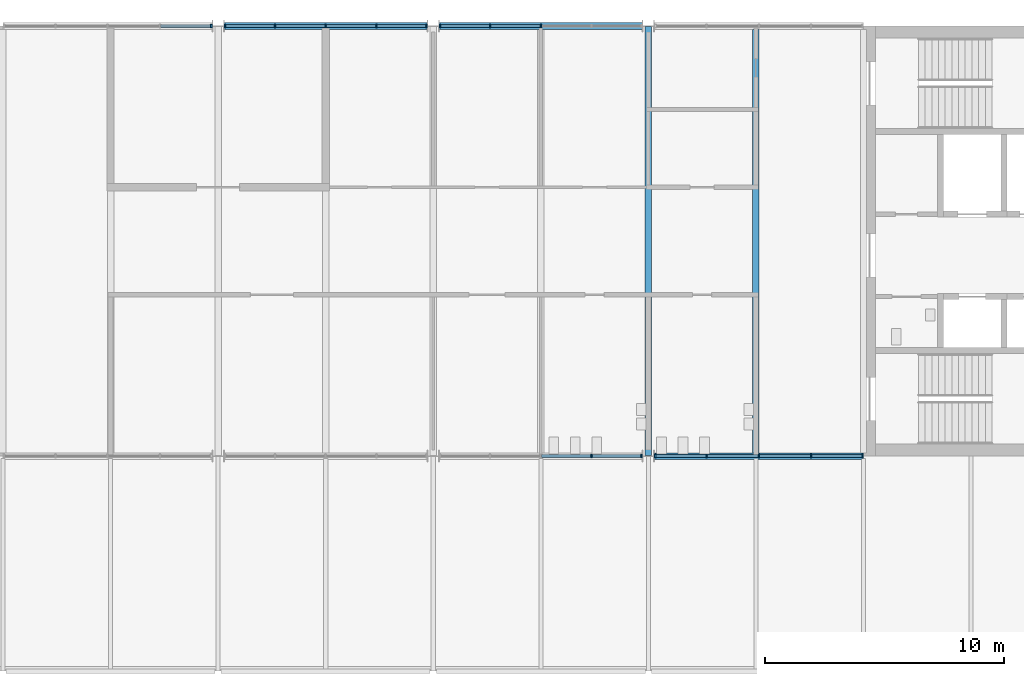
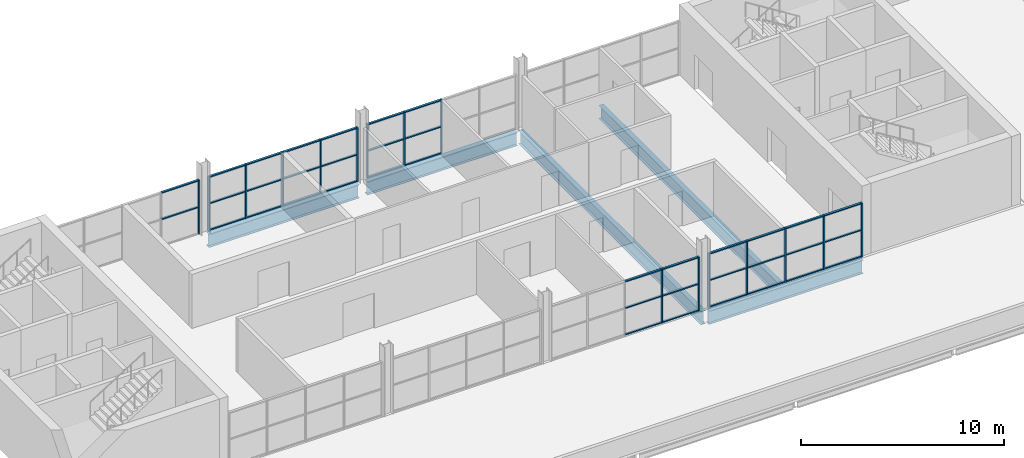
# One storey, part 16 of 50: 54 members, 5 beams, 5 elements without a shape of their own.
"""IFC4 building model written with IfcOpenShell, lengths in metres."""

from ifc_helpers import new_model, si_unit, direction, frame, origin, origin_2d, place, context, subcontext, project, spatial, rectangle, i_section, extrude, material, layer, layer_set, material_profile, profile_set, type_object, element, aggregate, save


model = new_model("IFC4")

# Units and contexts
model_context = context("Model", 3, precision=1e-05, world=origin(), true_north=direction((0.0, 1.0)))
body_context = subcontext(model_context, "Body", "Model", "MODEL_VIEW")
ifc_project = project(units=[si_unit("LENGTHUNIT", "METRE"), si_unit("AREAUNIT", "SQUARE_METRE"), si_unit("VOLUMEUNIT", "CUBIC_METRE"), si_unit("PLANEANGLEUNIT", "RADIAN"), si_unit("MASSUNIT", "GRAM", prefix="KILO")], contexts=[model_context])

# Site, building, storey
site_placement = place(None, origin())
site = spatial("IfcSite", under=ifc_project, at=site_placement, CompositionType="ELEMENT")
building_placement = place(site_placement, origin())
building = spatial("IfcBuilding", under=site, at=building_placement, Name="Corbel Yard City Hall", CompositionType="ELEMENT")
storey_placement = place(building_placement, frame((0.0, 0.0, 15.0)))
storey = spatial("IfcBuildingStorey", under=building, at=storey_placement, Name="L03", CompositionType="ELEMENT", Elevation=15.0)

# Beams
ifc_material_1 = material(Name="Steel Grade 350", Category="steel")
ifc_material_profile_1 = material_profile(ifc_material_1, i_section(OverallWidth=0.27490234375, OverallDepth=0.81005859375, WebThickness=0.010009765625, FlangeThickness=0.02490234375, at=origin_2d()), Name="800WB168")
ifc_profile_set_1 = profile_set([ifc_material_profile_1], Name="Steel Grade 350")
beam_type_1 = type_object("IfcBeamType", Name="Edge beam 800WB168", PredefinedType="BEAM", material=ifc_profile_set_1)
beam_1_placement = place(storey_placement, frame((36.239990234375, 99.0, -0.554931640625), z_axis=(1.0, 0.0, 0.0), x_axis=(0.0, 1.0, 0.0)))
element("IfcBeam", 1, at=beam_1_placement, inside=storey, type_object=beam_type_1, Name="Edge beam 800WB168 EB3 L03tower", PredefinedType="BEAM", context=body_context, shape_type="SweptSolid", body=[
    extrude(i_section(OverallWidth=0.27490234375, OverallDepth=0.81005859375, WebThickness=0.010009765625, FlangeThickness=0.02490234375, at=origin_2d()), origin(), (0.0, 0.0, 1.0), 8.760009765625),
])
for number, where, z_axis, x_axis, name in (
    (2, (18.239990234375, 117.0, -0.554931640625), (1.0, 0.0, 0.0), (0.0, 1.0, 0.0), "Edge beam 800WB168 EB3 L03tower"),
    (3, (27.239990234375, 117.0, -0.554931640625), (1.0, 0.0, 0.0), (0.0, 1.0, 0.0), "Edge beam 800WB168 EB3 L03tower"),
):
    element("IfcBeam", number, at=place(storey_placement, frame(where, z_axis=z_axis, x_axis=x_axis)), inside=storey, type_object=beam_type_1, Name=name, PredefinedType="BEAM", context=body_context, shape_type="SweptSolid", body=[
        extrude(i_section(OverallWidth=0.27490234375, OverallDepth=0.81005859375, WebThickness=0.010009765625, FlangeThickness=0.02490234375, at=origin_2d()), origin(), (0.0, 0.0, 1.0), 8.52001953125),
    ])
ifc_material_profile_2 = material_profile(ifc_material_1, i_section(OverallWidth=0.27490234375, OverallDepth=0.800048828125, WebThickness=0.010009765625, FlangeThickness=0.02001953125, at=origin_2d()), Name="800WB146")
ifc_profile_set_2 = profile_set([ifc_material_profile_2], Name="Steel Grade 350")
beam_type_2 = type_object("IfcBeamType", Name="Long-span beam 800WB146", PredefinedType="BEAM", material=ifc_profile_set_2)
beam_2_placement = place(storey_placement, frame((36.0, 99.02001953125, -0.550048828125), z_axis=(0.0, 1.0, 0.0), x_axis=(-1.0, 0.0, 0.0)))
element("IfcBeam", 4, at=beam_2_placement, inside=storey, type_object=beam_type_2, Name="Long-span beam 800WB146 SB8 L03tower", PredefinedType="BEAM", context=body_context, shape_type="SweptSolid", body=[
    extrude(i_section(OverallWidth=0.27490234375, OverallDepth=0.800048828125, WebThickness=0.010009765625, FlangeThickness=0.02001953125, at=origin_2d()), origin(), (0.0, 0.0, 1.0), 17.9599609375),
])
ifc_material_profile_3 = material_profile(ifc_material_1, i_section(OverallWidth=0.27490234375, OverallDepth=0.800048828125, WebThickness=0.010009765625, FlangeThickness=0.02001953125, at=origin_2d()), Name="800WB146")
ifc_profile_set_3 = profile_set([ifc_material_profile_3], Name="Steel Grade 350")
beam_type_3 = type_object("IfcBeamType", Name="Long-span secondary beam 800WB146", PredefinedType="JOIST", material=ifc_profile_set_3)
beam_3_placement = place(storey_placement, frame((40.5, 99.137451171875, -0.550048828125), z_axis=(0.0, 1.0, 0.0), x_axis=(-1.0, 0.0, 0.0)))
element("IfcBeam", 5, at=beam_3_placement, inside=storey, type_object=beam_type_3, Name="Long-span secondary beam 800WB146 SB7 L03tower", PredefinedType="JOIST", context=body_context, shape_type="SweptSolid", body=[
    extrude(i_section(OverallWidth=0.27490234375, OverallDepth=0.800048828125, WebThickness=0.010009765625, FlangeThickness=0.02001953125, at=origin_2d()), origin(), (0.0, 0.0, 1.0), 17.72509765625),
])

# Curtain wall, members
ifc_material_2 = material(Name="Aluminium extrusion", Category="aluminium")
ifc_layer = layer(ifc_material_2, 0.14990234375)
ifc_layer_set = layer_set([ifc_layer], Name="Aluminium extrusion")
curtain_wall_type = type_object("IfcCurtainWallType", Name="CW2", PredefinedType="USERDEFINED", material=ifc_layer_set)
curtain_wall_1_placement = place(storey_placement, origin())
curtain_wall_1 = element("IfcCurtainWall", 6, at=curtain_wall_1_placement, inside=storey, type_object=curtain_wall_type, Name="Curtain wall CW2 L03", ObjectType="CURTAIN WALL", PredefinedType="USERDEFINED")
ifc_material_profile_4 = material_profile(ifc_material_2, rectangle(XDim=0.14990234375, YDim=0.06494140625, at=origin_2d()), Name="150x65")
ifc_profile_set_4 = profile_set([ifc_material_profile_4], Name="Aluminium extrusion")
member_type_1 = type_object("IfcMemberType", Name="ML2", PredefinedType="MULLION", material=ifc_profile_set_4)
member_1_placement = place(storey_placement, frame((33.62158203125, 99.0, 0.0), z_axis=(0.0, 0.0, 1.0), x_axis=(0.0, 1.0, 0.0)))
member_1 = element("IfcMember", 7, at=member_1_placement, type_object=member_type_1, Name="CW2 mullion 4", PredefinedType="MULLION", context=body_context, shape_type="SweptSolid", body=[
    extrude(rectangle(XDim=0.14990234375, YDim=0.06494140625, at=origin_2d()), origin(), (0.0, 0.0, 1.0), 3.239990234375),
])
member_2_placement = place(storey_placement, frame((35.71044921875, 99.0, 0.0), z_axis=(0.0, 0.0, 1.0), x_axis=(0.0, 1.0, 0.0)))
member_2 = element("IfcMember", 8, at=member_2_placement, type_object=member_type_1, Name="CW2 mullion 5", PredefinedType="MULLION", context=body_context, shape_type="SweptSolid", body=[
    extrude(rectangle(XDim=0.14990234375, YDim=0.06494140625, at=origin_2d()), origin(), (0.0, 0.0, 1.0), 3.239990234375),
])

curtain_wall_2_placement = place(storey_placement, origin())
curtain_wall_2 = element("IfcCurtainWall", 9, at=curtain_wall_2_placement, inside=storey, type_object=curtain_wall_type, Name="Curtain wall CW2 L03", ObjectType="CURTAIN WALL", PredefinedType="USERDEFINED")
member_3_placement = place(storey_placement, frame((36.28955078125, 99.0, 0.0), z_axis=(0.0, 0.0, 1.0), x_axis=(0.0, 1.0, 0.0)))
member_3 = element("IfcMember", 10, at=member_3_placement, type_object=member_type_1, Name="CW2 mullion 1", PredefinedType="MULLION", context=body_context, shape_type="SweptSolid", body=[
    extrude(rectangle(XDim=0.14990234375, YDim=0.06494140625, at=origin_2d()), origin(), (0.0, 0.0, 1.0), 3.239990234375),
])
member_4_placement = place(storey_placement, frame((38.44287109375, 99.0, 0.0), z_axis=(0.0, 0.0, 1.0), x_axis=(0.0, 1.0, 0.0)))
member_4 = element("IfcMember", 11, at=member_4_placement, type_object=member_type_1, Name="CW2 mullion 2", PredefinedType="MULLION", context=body_context, shape_type="SweptSolid", body=[
    extrude(rectangle(XDim=0.14990234375, YDim=0.06494140625, at=origin_2d()), origin(), (0.0, 0.0, 1.0), 3.239990234375),
])
member_5_placement = place(storey_placement, frame((40.62841796875, 99.0, 0.0), z_axis=(0.0, 0.0, 1.0), x_axis=(0.0, 1.0, 0.0)))
member_5 = element("IfcMember", 12, at=member_5_placement, type_object=member_type_1, Name="CW2 mullion 3", PredefinedType="MULLION", context=body_context, shape_type="SweptSolid", body=[
    extrude(rectangle(XDim=0.14990234375, YDim=0.06494140625, at=origin_2d()), origin(), (0.0, 0.0, 1.0), 3.239990234375),
])
member_6_placement = place(storey_placement, frame((42.814208984375, 99.0, 0.0), z_axis=(0.0, 0.0, 1.0), x_axis=(0.0, 1.0, 0.0)))
member_6 = element("IfcMember", 13, at=member_6_placement, type_object=member_type_1, Name="CW2 mullion 4", PredefinedType="MULLION", context=body_context, shape_type="SweptSolid", body=[
    extrude(rectangle(XDim=0.14990234375, YDim=0.06494140625, at=origin_2d()), origin(), (0.0, 0.0, 1.0), 3.239990234375),
])
member_7_placement = place(storey_placement, frame((44.967529296875, 99.0, 0.0), z_axis=(0.0, 0.0, 1.0), x_axis=(0.0, 1.0, 0.0)))
member_7 = element("IfcMember", 14, at=member_7_placement, type_object=member_type_1, Name="CW2 mullion 5", PredefinedType="MULLION", context=body_context, shape_type="SweptSolid", body=[
    extrude(rectangle(XDim=0.14990234375, YDim=0.06494140625, at=origin_2d()), origin(), (0.0, 0.0, 1.0), 3.239990234375),
])

# Curtain wall, member
curtain_wall_3_placement = place(storey_placement, origin())
curtain_wall_3 = element("IfcCurtainWall", 15, at=curtain_wall_3_placement, inside=storey, type_object=curtain_wall_type, Name="Curtain wall CW2 L03", ObjectType="CURTAIN WALL", PredefinedType="USERDEFINED")
member_8_placement = place(storey_placement, frame((17.71044921875, 117.0, 0.0), z_axis=(0.0, 0.0, 1.0), x_axis=(0.0, 1.0, 0.0)))
member_8 = element("IfcMember", 16, at=member_8_placement, type_object=member_type_1, Name="CW2 mullion 5", PredefinedType="MULLION", context=body_context, shape_type="SweptSolid", body=[
    extrude(rectangle(XDim=0.14990234375, YDim=0.06494140625, at=origin_2d()), origin(), (0.0, 0.0, 1.0), 3.239990234375),
])

# Curtain wall, members
curtain_wall_4_placement = place(storey_placement, origin())
curtain_wall_4 = element("IfcCurtainWall", 17, at=curtain_wall_4_placement, inside=storey, type_object=curtain_wall_type, Name="Curtain wall CW2 L03", ObjectType="CURTAIN WALL", PredefinedType="USERDEFINED")
member_9_placement = place(storey_placement, frame((18.28955078125, 117.0, 0.0), z_axis=(0.0, 0.0, 1.0), x_axis=(0.0, 1.0, 0.0)))
member_9 = element("IfcMember", 18, at=member_9_placement, type_object=member_type_1, Name="CW2 mullion 1", PredefinedType="MULLION", context=body_context, shape_type="SweptSolid", body=[
    extrude(rectangle(XDim=0.14990234375, YDim=0.06494140625, at=origin_2d()), origin(), (0.0, 0.0, 1.0), 3.239990234375),
])
member_10_placement = place(storey_placement, frame((20.37841796875, 117.0, 0.0), z_axis=(0.0, 0.0, 1.0), x_axis=(0.0, 1.0, 0.0)))
member_10 = element("IfcMember", 19, at=member_10_placement, type_object=member_type_1, Name="CW2 mullion 2", PredefinedType="MULLION", context=body_context, shape_type="SweptSolid", body=[
    extrude(rectangle(XDim=0.14990234375, YDim=0.06494140625, at=origin_2d()), origin(), (0.0, 0.0, 1.0), 3.239990234375),
])
member_11_placement = place(storey_placement, frame((22.5, 117.0, 0.0), z_axis=(0.0, 0.0, 1.0), x_axis=(0.0, 1.0, 0.0)))
member_11 = element("IfcMember", 20, at=member_11_placement, type_object=member_type_1, Name="CW2 mullion 3", PredefinedType="MULLION", context=body_context, shape_type="SweptSolid", body=[
    extrude(rectangle(XDim=0.14990234375, YDim=0.06494140625, at=origin_2d()), origin(), (0.0, 0.0, 1.0), 3.239990234375),
])
member_12_placement = place(storey_placement, frame((24.62158203125, 117.0, 0.0), z_axis=(0.0, 0.0, 1.0), x_axis=(0.0, 1.0, 0.0)))
member_12 = element("IfcMember", 21, at=member_12_placement, type_object=member_type_1, Name="CW2 mullion 4", PredefinedType="MULLION", context=body_context, shape_type="SweptSolid", body=[
    extrude(rectangle(XDim=0.14990234375, YDim=0.06494140625, at=origin_2d()), origin(), (0.0, 0.0, 1.0), 3.239990234375),
])
member_13_placement = place(storey_placement, frame((26.71044921875, 117.0, 0.0), z_axis=(0.0, 0.0, 1.0), x_axis=(0.0, 1.0, 0.0)))
member_13 = element("IfcMember", 22, at=member_13_placement, type_object=member_type_1, Name="CW2 mullion 5", PredefinedType="MULLION", context=body_context, shape_type="SweptSolid", body=[
    extrude(rectangle(XDim=0.14990234375, YDim=0.06494140625, at=origin_2d()), origin(), (0.0, 0.0, 1.0), 3.239990234375),
])

curtain_wall_5_placement = place(storey_placement, origin())
curtain_wall_5 = element("IfcCurtainWall", 23, at=curtain_wall_5_placement, inside=storey, type_object=curtain_wall_type, Name="Curtain wall CW2 L03", ObjectType="CURTAIN WALL", PredefinedType="USERDEFINED")
member_14_placement = place(storey_placement, frame((27.28955078125, 117.0, 0.0), z_axis=(0.0, 0.0, 1.0), x_axis=(0.0, 1.0, 0.0)))
member_14 = element("IfcMember", 24, at=member_14_placement, type_object=member_type_1, Name="CW2 mullion 1", PredefinedType="MULLION", context=body_context, shape_type="SweptSolid", body=[
    extrude(rectangle(XDim=0.14990234375, YDim=0.06494140625, at=origin_2d()), origin(), (0.0, 0.0, 1.0), 3.239990234375),
])
member_15_placement = place(storey_placement, frame((29.37841796875, 117.0, 0.0), z_axis=(0.0, 0.0, 1.0), x_axis=(0.0, 1.0, 0.0)))
member_15 = element("IfcMember", 25, at=member_15_placement, type_object=member_type_1, Name="CW2 mullion 2", PredefinedType="MULLION", context=body_context, shape_type="SweptSolid", body=[
    extrude(rectangle(XDim=0.14990234375, YDim=0.06494140625, at=origin_2d()), origin(), (0.0, 0.0, 1.0), 3.239990234375),
])
member_16_placement = place(storey_placement, frame((31.5, 117.0, 0.0), z_axis=(0.0, 0.0, 1.0), x_axis=(0.0, 1.0, 0.0)))
member_16 = element("IfcMember", 26, at=member_16_placement, type_object=member_type_1, Name="CW2 mullion 3", PredefinedType="MULLION", context=body_context, shape_type="SweptSolid", body=[
    extrude(rectangle(XDim=0.14990234375, YDim=0.06494140625, at=origin_2d()), origin(), (0.0, 0.0, 1.0), 3.239990234375),
])

# Member
ifc_material_profile_5 = material_profile(ifc_material_2, rectangle(XDim=0.1201171875, YDim=0.06494140625, at=origin_2d()), Name="120x65")
ifc_profile_set_5 = profile_set([ifc_material_profile_5], Name="Aluminium extrusion")
member_type_2 = type_object("IfcMemberType", Name="TR2", PredefinedType="USERDEFINED", material=ifc_profile_set_5)
member_17_placement = place(storey_placement, frame((31.532470703125, 99.0, 0.032470703125), z_axis=(1.0, 0.0, 0.0), x_axis=(0.0, 1.0, 0.0)))
member_17 = element("IfcMember", 27, at=member_17_placement, type_object=member_type_2, Name="CW2 transom 3.1", ObjectType="TRANSOM", PredefinedType="USERDEFINED", context=body_context, shape_type="SweptSolid", body=[
    extrude(rectangle(XDim=0.1201171875, YDim=0.06494140625, at=origin_2d()), origin(), (0.0, 0.0, 1.0), 2.056640625),
])

member_18_placement = place(storey_placement, frame((31.532470703125, 99.0, 1.6201171875), z_axis=(1.0, 0.0, 0.0), x_axis=(0.0, 1.0, 0.0)))
member_18 = element("IfcMember", 28, at=member_18_placement, type_object=member_type_2, Name="CW2 transom 3.2", ObjectType="TRANSOM", PredefinedType="USERDEFINED", context=body_context, shape_type="SweptSolid", body=[
    extrude(rectangle(XDim=0.1201171875, YDim=0.06494140625, at=origin_2d()), origin(), (0.0, 0.0, 1.0), 2.056640625),
])

member_19_placement = place(storey_placement, frame((31.532470703125, 99.0, 3.20751953125), z_axis=(1.0, 0.0, 0.0), x_axis=(0.0, 1.0, 0.0)))
member_19 = element("IfcMember", 29, at=member_19_placement, type_object=member_type_2, Name="CW2 transom 3.3", ObjectType="TRANSOM", PredefinedType="USERDEFINED", context=body_context, shape_type="SweptSolid", body=[
    extrude(rectangle(XDim=0.1201171875, YDim=0.06494140625, at=origin_2d()), origin(), (0.0, 0.0, 1.0), 2.056640625),
])

member_20_placement = place(storey_placement, frame((33.654052734375, 99.0, 0.032470703125), z_axis=(1.0, 0.0, 0.0), x_axis=(0.0, 1.0, 0.0)))
member_20 = element("IfcMember", 30, at=member_20_placement, type_object=member_type_2, Name="CW2 transom 4.1", ObjectType="TRANSOM", PredefinedType="USERDEFINED", context=body_context, shape_type="SweptSolid", body=[
    extrude(rectangle(XDim=0.1201171875, YDim=0.06494140625, at=origin_2d()), origin(), (0.0, 0.0, 1.0), 2.02392578125),
])

member_21_placement = place(storey_placement, frame((33.654052734375, 99.0, 1.6201171875), z_axis=(1.0, 0.0, 0.0), x_axis=(0.0, 1.0, 0.0)))
member_21 = element("IfcMember", 31, at=member_21_placement, type_object=member_type_2, Name="CW2 transom 4.2", ObjectType="TRANSOM", PredefinedType="USERDEFINED", context=body_context, shape_type="SweptSolid", body=[
    extrude(rectangle(XDim=0.1201171875, YDim=0.06494140625, at=origin_2d()), origin(), (0.0, 0.0, 1.0), 2.02392578125),
])

member_22_placement = place(storey_placement, frame((33.654052734375, 99.0, 3.20751953125), z_axis=(1.0, 0.0, 0.0), x_axis=(0.0, 1.0, 0.0)))
member_22 = element("IfcMember", 32, at=member_22_placement, type_object=member_type_2, Name="CW2 transom 4.3", ObjectType="TRANSOM", PredefinedType="USERDEFINED", context=body_context, shape_type="SweptSolid", body=[
    extrude(rectangle(XDim=0.1201171875, YDim=0.06494140625, at=origin_2d()), origin(), (0.0, 0.0, 1.0), 2.02392578125),
])

aggregate(curtain_wall_1, [member_1, member_2, member_17, member_18, member_19, member_20, member_21, member_22])

member_23_placement = place(storey_placement, frame((36.322021484375, 99.0, 0.032470703125), z_axis=(1.0, 0.0, 0.0), x_axis=(0.0, 1.0, 0.0)))
member_23 = element("IfcMember", 33, at=member_23_placement, type_object=member_type_2, Name="CW2 transom 1.1", ObjectType="TRANSOM", PredefinedType="USERDEFINED", context=body_context, shape_type="SweptSolid", body=[
    extrude(rectangle(XDim=0.1201171875, YDim=0.06494140625, at=origin_2d()), origin(), (0.0, 0.0, 1.0), 2.088134765625),
])

member_24_placement = place(storey_placement, frame((36.322021484375, 99.0, 1.6201171875), z_axis=(1.0, 0.0, 0.0), x_axis=(0.0, 1.0, 0.0)))
member_24 = element("IfcMember", 34, at=member_24_placement, type_object=member_type_2, Name="CW2 transom 1.2", ObjectType="TRANSOM", PredefinedType="USERDEFINED", context=body_context, shape_type="SweptSolid", body=[
    extrude(rectangle(XDim=0.1201171875, YDim=0.06494140625, at=origin_2d()), origin(), (0.0, 0.0, 1.0), 2.088134765625),
])

member_25_placement = place(storey_placement, frame((36.322021484375, 99.0, 3.20751953125), z_axis=(1.0, 0.0, 0.0), x_axis=(0.0, 1.0, 0.0)))
member_25 = element("IfcMember", 35, at=member_25_placement, type_object=member_type_2, Name="CW2 transom 1.3", ObjectType="TRANSOM", PredefinedType="USERDEFINED", context=body_context, shape_type="SweptSolid", body=[
    extrude(rectangle(XDim=0.1201171875, YDim=0.06494140625, at=origin_2d()), origin(), (0.0, 0.0, 1.0), 2.088134765625),
])

member_26_placement = place(storey_placement, frame((38.475341796875, 99.0, 0.032470703125), z_axis=(1.0, 0.0, 0.0), x_axis=(0.0, 1.0, 0.0)))
member_26 = element("IfcMember", 36, at=member_26_placement, type_object=member_type_2, Name="CW2 transom 2.1", ObjectType="TRANSOM", PredefinedType="USERDEFINED", context=body_context, shape_type="SweptSolid", body=[
    extrude(rectangle(XDim=0.1201171875, YDim=0.06494140625, at=origin_2d()), origin(), (0.0, 0.0, 1.0), 2.12060546875),
])

member_27_placement = place(storey_placement, frame((38.475341796875, 99.0, 1.6201171875), z_axis=(1.0, 0.0, 0.0), x_axis=(0.0, 1.0, 0.0)))
member_27 = element("IfcMember", 37, at=member_27_placement, type_object=member_type_2, Name="CW2 transom 2.2", ObjectType="TRANSOM", PredefinedType="USERDEFINED", context=body_context, shape_type="SweptSolid", body=[
    extrude(rectangle(XDim=0.1201171875, YDim=0.06494140625, at=origin_2d()), origin(), (0.0, 0.0, 1.0), 2.12060546875),
])

member_28_placement = place(storey_placement, frame((38.475341796875, 99.0, 3.20751953125), z_axis=(1.0, 0.0, 0.0), x_axis=(0.0, 1.0, 0.0)))
member_28 = element("IfcMember", 38, at=member_28_placement, type_object=member_type_2, Name="CW2 transom 2.3", ObjectType="TRANSOM", PredefinedType="USERDEFINED", context=body_context, shape_type="SweptSolid", body=[
    extrude(rectangle(XDim=0.1201171875, YDim=0.06494140625, at=origin_2d()), origin(), (0.0, 0.0, 1.0), 2.12060546875),
])

member_29_placement = place(storey_placement, frame((40.660888671875, 99.0, 0.032470703125), z_axis=(1.0, 0.0, 0.0), x_axis=(0.0, 1.0, 0.0)))
member_29 = element("IfcMember", 39, at=member_29_placement, type_object=member_type_2, Name="CW2 transom 3.1", ObjectType="TRANSOM", PredefinedType="USERDEFINED", context=body_context, shape_type="SweptSolid", body=[
    extrude(rectangle(XDim=0.1201171875, YDim=0.06494140625, at=origin_2d()), origin(), (0.0, 0.0, 1.0), 2.120849609375),
])

member_30_placement = place(storey_placement, frame((40.660888671875, 99.0, 1.6201171875), z_axis=(1.0, 0.0, 0.0), x_axis=(0.0, 1.0, 0.0)))
member_30 = element("IfcMember", 40, at=member_30_placement, type_object=member_type_2, Name="CW2 transom 3.2", ObjectType="TRANSOM", PredefinedType="USERDEFINED", context=body_context, shape_type="SweptSolid", body=[
    extrude(rectangle(XDim=0.1201171875, YDim=0.06494140625, at=origin_2d()), origin(), (0.0, 0.0, 1.0), 2.120849609375),
])

member_31_placement = place(storey_placement, frame((40.660888671875, 99.0, 3.20751953125), z_axis=(1.0, 0.0, 0.0), x_axis=(0.0, 1.0, 0.0)))
member_31 = element("IfcMember", 41, at=member_31_placement, type_object=member_type_2, Name="CW2 transom 3.3", ObjectType="TRANSOM", PredefinedType="USERDEFINED", context=body_context, shape_type="SweptSolid", body=[
    extrude(rectangle(XDim=0.1201171875, YDim=0.06494140625, at=origin_2d()), origin(), (0.0, 0.0, 1.0), 2.120849609375),
])

member_32_placement = place(storey_placement, frame((42.8466796875, 99.0, 0.032470703125), z_axis=(1.0, 0.0, 0.0), x_axis=(0.0, 1.0, 0.0)))
member_32 = element("IfcMember", 42, at=member_32_placement, type_object=member_type_2, Name="CW2 transom 4.1", ObjectType="TRANSOM", PredefinedType="USERDEFINED", context=body_context, shape_type="SweptSolid", body=[
    extrude(rectangle(XDim=0.1201171875, YDim=0.06494140625, at=origin_2d()), origin(), (0.0, 0.0, 1.0), 2.08837890625),
])

member_33_placement = place(storey_placement, frame((42.8466796875, 99.0, 1.6201171875), z_axis=(1.0, 0.0, 0.0), x_axis=(0.0, 1.0, 0.0)))
member_33 = element("IfcMember", 43, at=member_33_placement, type_object=member_type_2, Name="CW2 transom 4.2", ObjectType="TRANSOM", PredefinedType="USERDEFINED", context=body_context, shape_type="SweptSolid", body=[
    extrude(rectangle(XDim=0.1201171875, YDim=0.06494140625, at=origin_2d()), origin(), (0.0, 0.0, 1.0), 2.08837890625),
])

member_34_placement = place(storey_placement, frame((42.8466796875, 99.0, 3.20751953125), z_axis=(1.0, 0.0, 0.0), x_axis=(0.0, 1.0, 0.0)))
member_34 = element("IfcMember", 44, at=member_34_placement, type_object=member_type_2, Name="CW2 transom 4.3", ObjectType="TRANSOM", PredefinedType="USERDEFINED", context=body_context, shape_type="SweptSolid", body=[
    extrude(rectangle(XDim=0.1201171875, YDim=0.06494140625, at=origin_2d()), origin(), (0.0, 0.0, 1.0), 2.08837890625),
])

aggregate(curtain_wall_2, [member_3, member_4, member_5, member_6, member_7, member_23, member_24, member_25, member_26, member_27, member_28, member_29, member_30, member_31, member_32, member_33, member_34])

member_35_placement = place(storey_placement, frame((15.58984375, 117.0, 1.6201171875), z_axis=(1.0, 0.0, 0.0), x_axis=(0.0, 1.0, 0.0)))
member_35 = element("IfcMember", 45, at=member_35_placement, type_object=member_type_2, Name="CW2 transom 4.2", ObjectType="TRANSOM", PredefinedType="USERDEFINED", context=body_context, shape_type="SweptSolid", body=[
    extrude(rectangle(XDim=0.1201171875, YDim=0.06494140625, at=origin_2d()), origin(), (0.0, 0.0, 1.0), 2.088134765625),
])

member_36_placement = place(storey_placement, frame((15.58984375, 117.0, 3.20751953125), z_axis=(1.0, 0.0, 0.0), x_axis=(0.0, 1.0, 0.0)))
member_36 = element("IfcMember", 46, at=member_36_placement, type_object=member_type_2, Name="CW2 transom 4.3", ObjectType="TRANSOM", PredefinedType="USERDEFINED", context=body_context, shape_type="SweptSolid", body=[
    extrude(rectangle(XDim=0.1201171875, YDim=0.06494140625, at=origin_2d()), origin(), (0.0, 0.0, 1.0), 2.088134765625),
])

aggregate(curtain_wall_3, [member_8, member_35, member_36])

member_37_placement = place(storey_placement, frame((18.322021484375, 117.0, 0.032470703125), z_axis=(1.0, 0.0, 0.0), x_axis=(0.0, 1.0, 0.0)))
member_37 = element("IfcMember", 47, at=member_37_placement, type_object=member_type_2, Name="CW2 transom 1.1", ObjectType="TRANSOM", PredefinedType="USERDEFINED", context=body_context, shape_type="SweptSolid", body=[
    extrude(rectangle(XDim=0.1201171875, YDim=0.06494140625, at=origin_2d()), origin(), (0.0, 0.0, 1.0), 2.02392578125),
])

member_38_placement = place(storey_placement, frame((18.322021484375, 117.0, 1.6201171875), z_axis=(1.0, 0.0, 0.0), x_axis=(0.0, 1.0, 0.0)))
member_38 = element("IfcMember", 48, at=member_38_placement, type_object=member_type_2, Name="CW2 transom 1.2", ObjectType="TRANSOM", PredefinedType="USERDEFINED", context=body_context, shape_type="SweptSolid", body=[
    extrude(rectangle(XDim=0.1201171875, YDim=0.06494140625, at=origin_2d()), origin(), (0.0, 0.0, 1.0), 2.02392578125),
])

member_39_placement = place(storey_placement, frame((18.322021484375, 117.0, 3.20751953125), z_axis=(1.0, 0.0, 0.0), x_axis=(0.0, 1.0, 0.0)))
member_39 = element("IfcMember", 49, at=member_39_placement, type_object=member_type_2, Name="CW2 transom 1.3", ObjectType="TRANSOM", PredefinedType="USERDEFINED", context=body_context, shape_type="SweptSolid", body=[
    extrude(rectangle(XDim=0.1201171875, YDim=0.06494140625, at=origin_2d()), origin(), (0.0, 0.0, 1.0), 2.02392578125),
])

member_40_placement = place(storey_placement, frame((20.410888671875, 117.0, 0.032470703125), z_axis=(1.0, 0.0, 0.0), x_axis=(0.0, 1.0, 0.0)))
member_40 = element("IfcMember", 50, at=member_40_placement, type_object=member_type_2, Name="CW2 transom 2.1", ObjectType="TRANSOM", PredefinedType="USERDEFINED", context=body_context, shape_type="SweptSolid", body=[
    extrude(rectangle(XDim=0.1201171875, YDim=0.06494140625, at=origin_2d()), origin(), (0.0, 0.0, 1.0), 2.056640625),
])

member_41_placement = place(storey_placement, frame((20.410888671875, 117.0, 1.6201171875), z_axis=(1.0, 0.0, 0.0), x_axis=(0.0, 1.0, 0.0)))
member_41 = element("IfcMember", 51, at=member_41_placement, type_object=member_type_2, Name="CW2 transom 2.2", ObjectType="TRANSOM", PredefinedType="USERDEFINED", context=body_context, shape_type="SweptSolid", body=[
    extrude(rectangle(XDim=0.1201171875, YDim=0.06494140625, at=origin_2d()), origin(), (0.0, 0.0, 1.0), 2.056640625),
])

member_42_placement = place(storey_placement, frame((20.410888671875, 117.0, 3.20751953125), z_axis=(1.0, 0.0, 0.0), x_axis=(0.0, 1.0, 0.0)))
member_42 = element("IfcMember", 52, at=member_42_placement, type_object=member_type_2, Name="CW2 transom 2.3", ObjectType="TRANSOM", PredefinedType="USERDEFINED", context=body_context, shape_type="SweptSolid", body=[
    extrude(rectangle(XDim=0.1201171875, YDim=0.06494140625, at=origin_2d()), origin(), (0.0, 0.0, 1.0), 2.056640625),
])

member_43_placement = place(storey_placement, frame((22.532470703125, 117.0, 0.032470703125), z_axis=(1.0, 0.0, 0.0), x_axis=(0.0, 1.0, 0.0)))
member_43 = element("IfcMember", 53, at=member_43_placement, type_object=member_type_2, Name="CW2 transom 3.1", ObjectType="TRANSOM", PredefinedType="USERDEFINED", context=body_context, shape_type="SweptSolid", body=[
    extrude(rectangle(XDim=0.1201171875, YDim=0.06494140625, at=origin_2d()), origin(), (0.0, 0.0, 1.0), 2.056640625),
])

member_44_placement = place(storey_placement, frame((22.532470703125, 117.0, 1.6201171875), z_axis=(1.0, 0.0, 0.0), x_axis=(0.0, 1.0, 0.0)))
member_44 = element("IfcMember", 54, at=member_44_placement, type_object=member_type_2, Name="CW2 transom 3.2", ObjectType="TRANSOM", PredefinedType="USERDEFINED", context=body_context, shape_type="SweptSolid", body=[
    extrude(rectangle(XDim=0.1201171875, YDim=0.06494140625, at=origin_2d()), origin(), (0.0, 0.0, 1.0), 2.056640625),
])

member_45_placement = place(storey_placement, frame((22.532470703125, 117.0, 3.20751953125), z_axis=(1.0, 0.0, 0.0), x_axis=(0.0, 1.0, 0.0)))
member_45 = element("IfcMember", 55, at=member_45_placement, type_object=member_type_2, Name="CW2 transom 3.3", ObjectType="TRANSOM", PredefinedType="USERDEFINED", context=body_context, shape_type="SweptSolid", body=[
    extrude(rectangle(XDim=0.1201171875, YDim=0.06494140625, at=origin_2d()), origin(), (0.0, 0.0, 1.0), 2.056640625),
])

member_46_placement = place(storey_placement, frame((24.654052734375, 117.0, 0.032470703125), z_axis=(1.0, 0.0, 0.0), x_axis=(0.0, 1.0, 0.0)))
member_46 = element("IfcMember", 56, at=member_46_placement, type_object=member_type_2, Name="CW2 transom 4.1", ObjectType="TRANSOM", PredefinedType="USERDEFINED", context=body_context, shape_type="SweptSolid", body=[
    extrude(rectangle(XDim=0.1201171875, YDim=0.06494140625, at=origin_2d()), origin(), (0.0, 0.0, 1.0), 2.02392578125),
])

member_47_placement = place(storey_placement, frame((24.654052734375, 117.0, 1.6201171875), z_axis=(1.0, 0.0, 0.0), x_axis=(0.0, 1.0, 0.0)))
member_47 = element("IfcMember", 57, at=member_47_placement, type_object=member_type_2, Name="CW2 transom 4.2", ObjectType="TRANSOM", PredefinedType="USERDEFINED", context=body_context, shape_type="SweptSolid", body=[
    extrude(rectangle(XDim=0.1201171875, YDim=0.06494140625, at=origin_2d()), origin(), (0.0, 0.0, 1.0), 2.02392578125),
])

member_48_placement = place(storey_placement, frame((24.654052734375, 117.0, 3.20751953125), z_axis=(1.0, 0.0, 0.0), x_axis=(0.0, 1.0, 0.0)))
member_48 = element("IfcMember", 58, at=member_48_placement, type_object=member_type_2, Name="CW2 transom 4.3", ObjectType="TRANSOM", PredefinedType="USERDEFINED", context=body_context, shape_type="SweptSolid", body=[
    extrude(rectangle(XDim=0.1201171875, YDim=0.06494140625, at=origin_2d()), origin(), (0.0, 0.0, 1.0), 2.02392578125),
])

aggregate(curtain_wall_4, [member_9, member_10, member_11, member_12, member_13, member_37, member_38, member_39, member_40, member_41, member_42, member_43, member_44, member_45, member_46, member_47, member_48])

member_49_placement = place(storey_placement, frame((27.322021484375, 117.0, 0.032470703125), z_axis=(1.0, 0.0, 0.0), x_axis=(0.0, 1.0, 0.0)))
member_49 = element("IfcMember", 59, at=member_49_placement, type_object=member_type_2, Name="CW2 transom 1.1", ObjectType="TRANSOM", PredefinedType="USERDEFINED", context=body_context, shape_type="SweptSolid", body=[
    extrude(rectangle(XDim=0.1201171875, YDim=0.06494140625, at=origin_2d()), origin(), (0.0, 0.0, 1.0), 2.02392578125),
])

member_50_placement = place(storey_placement, frame((27.322021484375, 117.0, 1.6201171875), z_axis=(1.0, 0.0, 0.0), x_axis=(0.0, 1.0, 0.0)))
member_50 = element("IfcMember", 60, at=member_50_placement, type_object=member_type_2, Name="CW2 transom 1.2", ObjectType="TRANSOM", PredefinedType="USERDEFINED", context=body_context, shape_type="SweptSolid", body=[
    extrude(rectangle(XDim=0.1201171875, YDim=0.06494140625, at=origin_2d()), origin(), (0.0, 0.0, 1.0), 2.02392578125),
])

member_51_placement = place(storey_placement, frame((27.322021484375, 117.0, 3.20751953125), z_axis=(1.0, 0.0, 0.0), x_axis=(0.0, 1.0, 0.0)))
member_51 = element("IfcMember", 61, at=member_51_placement, type_object=member_type_2, Name="CW2 transom 1.3", ObjectType="TRANSOM", PredefinedType="USERDEFINED", context=body_context, shape_type="SweptSolid", body=[
    extrude(rectangle(XDim=0.1201171875, YDim=0.06494140625, at=origin_2d()), origin(), (0.0, 0.0, 1.0), 2.02392578125),
])

member_52_placement = place(storey_placement, frame((29.410888671875, 117.0, 0.032470703125), z_axis=(1.0, 0.0, 0.0), x_axis=(0.0, 1.0, 0.0)))
member_52 = element("IfcMember", 62, at=member_52_placement, type_object=member_type_2, Name="CW2 transom 2.1", ObjectType="TRANSOM", PredefinedType="USERDEFINED", context=body_context, shape_type="SweptSolid", body=[
    extrude(rectangle(XDim=0.1201171875, YDim=0.06494140625, at=origin_2d()), origin(), (0.0, 0.0, 1.0), 2.056640625),
])

member_53_placement = place(storey_placement, frame((29.410888671875, 117.0, 1.6201171875), z_axis=(1.0, 0.0, 0.0), x_axis=(0.0, 1.0, 0.0)))
member_53 = element("IfcMember", 63, at=member_53_placement, type_object=member_type_2, Name="CW2 transom 2.2", ObjectType="TRANSOM", PredefinedType="USERDEFINED", context=body_context, shape_type="SweptSolid", body=[
    extrude(rectangle(XDim=0.1201171875, YDim=0.06494140625, at=origin_2d()), origin(), (0.0, 0.0, 1.0), 2.056640625),
])

member_54_placement = place(storey_placement, frame((29.410888671875, 117.0, 3.20751953125), z_axis=(1.0, 0.0, 0.0), x_axis=(0.0, 1.0, 0.0)))
member_54 = element("IfcMember", 64, at=member_54_placement, type_object=member_type_2, Name="CW2 transom 2.3", ObjectType="TRANSOM", PredefinedType="USERDEFINED", context=body_context, shape_type="SweptSolid", body=[
    extrude(rectangle(XDim=0.1201171875, YDim=0.06494140625, at=origin_2d()), origin(), (0.0, 0.0, 1.0), 2.056640625),
])

aggregate(curtain_wall_5, [member_14, member_15, member_16, member_49, member_50, member_51, member_52, member_53, member_54])

save(model, "model.ifc")
